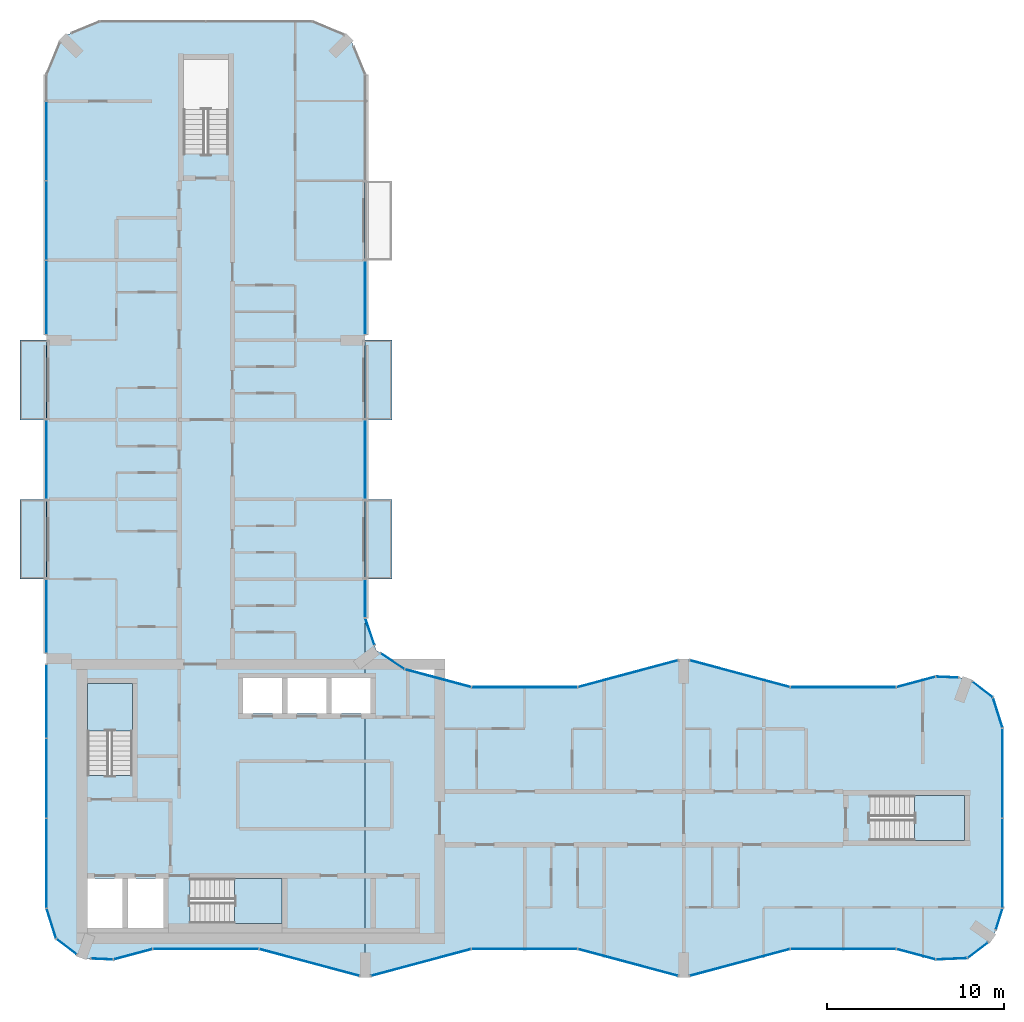
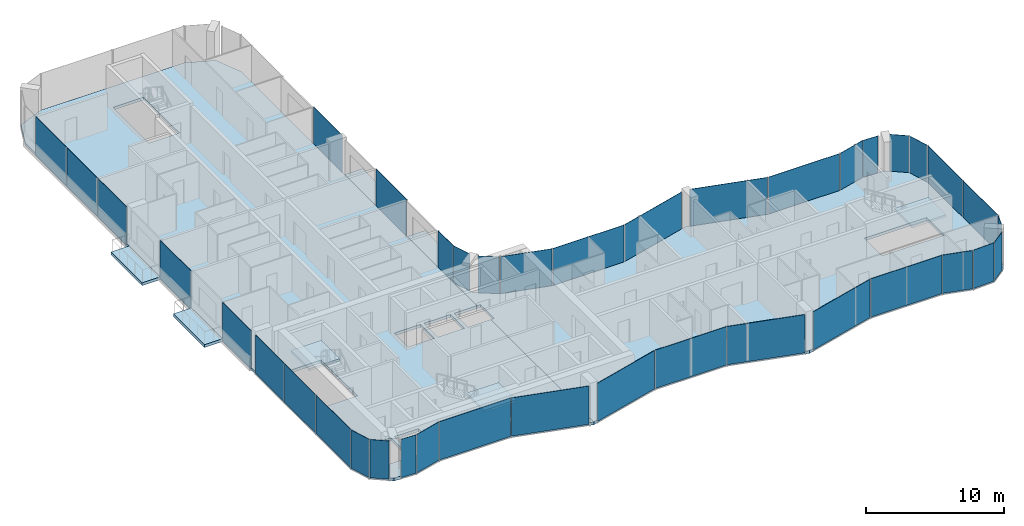
# One storey, part 8 of 17: 39 plates, 9 slabs, 37 elements without a shape of their own.
"""IFC4 building model written with IfcOpenShell, lengths in metres."""

from ifc_helpers import new_model, si_unit, direction, frame, origin, origin_2d, place, context, subcontext, project, spatial, polyline, rectangle, outline, extrude, material, layer, layer_set, type_object, element, aggregate, save


model = new_model("IFC4")

# Units and contexts
model_context = context("Model", 3, precision=1e-05, world=origin(), true_north=direction((0.0, 1.0)))
body_context = subcontext(model_context, "Body", "Model", "MODEL_VIEW")
ifc_project = project(units=[si_unit("LENGTHUNIT", "METRE"), si_unit("AREAUNIT", "SQUARE_METRE"), si_unit("VOLUMEUNIT", "CUBIC_METRE"), si_unit("PLANEANGLEUNIT", "RADIAN"), si_unit("MASSUNIT", "GRAM", prefix="KILO")], contexts=[model_context])

# Site, building, storey
site_placement = place(None, origin())
site = spatial("IfcSite", under=ifc_project, at=site_placement, CompositionType="ELEMENT")
building_placement = place(site_placement, origin())
building = spatial("IfcBuilding", under=site, at=building_placement, Name="Plateau Cross Towers", CompositionType="ELEMENT")
storey_placement = place(building_placement, frame((0.0, 0.0, 142.89990234375)))
storey = spatial("IfcBuildingStorey", under=building, at=storey_placement, Name="L36", CompositionType="ELEMENT", Elevation=142.89990234375)

# Slabs
ifc_material_1 = material(Name="Concrete C40/50", Category="concrete")
ifc_layer_1 = layer(ifc_material_1, 0.25)
ifc_layer_set_1 = layer_set([ifc_layer_1], Name="Concrete C40/50")
slab_type_1 = type_object("IfcSlabType", Name="Balcony slab 250", PredefinedType="FLOOR", material=ifc_layer_set_1)
slab_1_placement = place(storey_placement, frame((0.0, 0.0, -0.25)))
element("IfcSlab", 1, at=slab_1_placement, inside=storey, type_object=slab_type_1, Name="Balcony slab A-BAL-L36-01", PredefinedType="FLOOR", context=body_context, shape_type="SweptSolid", body=[
    extrude(outline(polyline([(0.0, 22.5), (0.0, 27.0), (-1.5, 27.0), (-1.5, 22.5), (0.0, 22.5)])), origin(), (0.0, 0.0, 1.0), 0.25),
])
slab_2_placement = place(storey_placement, frame((0.0, 0.0, -0.25)))
element("IfcSlab", 2, at=slab_2_placement, inside=storey, type_object=slab_type_1, Name="Balcony slab A-BAL-L36-02", PredefinedType="FLOOR", context=body_context, shape_type="SweptSolid", body=[
    extrude(outline(polyline([(0.0, 31.5), (0.0, 36.0), (-1.5, 36.0), (-1.5, 31.5), (0.0, 31.5)])), origin(), (0.0, 0.0, 1.0), 0.25),
])
slab_3_placement = place(storey_placement, frame((0.0, 0.0, -0.25)))
element("IfcSlab", 3, at=slab_3_placement, inside=storey, type_object=slab_type_1, Name="Balcony slab A-BAL-L36-03", PredefinedType="FLOOR", context=body_context, shape_type="SweptSolid", body=[
    extrude(outline(polyline([(19.5, 22.5), (19.5, 27.0), (18.0, 27.0), (18.0, 22.5), (19.5, 22.5)])), origin(), (0.0, 0.0, 1.0), 0.25),
])
slab_4_placement = place(storey_placement, frame((0.0, 0.0, -0.25)))
element("IfcSlab", 4, at=slab_4_placement, inside=storey, type_object=slab_type_1, Name="Balcony slab A-BAL-L36-04", PredefinedType="FLOOR", context=body_context, shape_type="SweptSolid", body=[
    extrude(outline(polyline([(19.5, 31.5), (19.5, 36.0), (18.0, 36.0), (18.0, 31.5), (19.5, 31.5)])), origin(), (0.0, 0.0, 1.0), 0.25),
])

# Curtain wall, plate
ifc_material_2 = material(Name="Dark low-iron glass", Category="glass")
ifc_layer_2 = layer(ifc_material_2, 0.239990234375)
ifc_layer_set_2 = layer_set([ifc_layer_2], Name="Dark low-iron glass")
curtain_wall_type_1 = type_object("IfcCurtainWallType", Name="Curtain wall flush unitised CW-B", PredefinedType="NOTDEFINED", material=ifc_layer_set_2)
curtain_wall_1_placement = place(storey_placement, origin())
curtain_wall_1 = element("IfcCurtainWall", 5, at=curtain_wall_1_placement, inside=storey, type_object=curtain_wall_type_1, Name="ENV/A/L36/A502_10", PredefinedType="NOTDEFINED")
ifc_layer_3 = layer(ifc_material_2, 0.031982421875)
ifc_layer_set_3 = layer_set([ifc_layer_3], Name="Dark low-iron glass")
plate_type_1 = type_object("IfcPlateType", Name="Glass panel 32 flush unitised", PredefinedType="CURTAIN_PANEL", material=ifc_layer_set_3)
plate_1_placement = place(storey_placement, frame((51.125, 1.05078125, -0.1298828125), z_axis=(0.0, 0.0, 1.0), x_axis=(0.999043701491, 0.043722791671, 0.0)))
plate_1 = element("IfcPlate", 6, at=plate_1_placement, type_object=plate_type_1, Name="CW-B panel 1", PredefinedType="CURTAIN_PANEL", context=body_context, shape_type="SweptSolid", body=[
    extrude(rectangle(XDim=1.744140625, YDim=0.031982421875, at=origin_2d()), origin(), (0.0, 0.0, 1.0), 3.3798828125),
])
aggregate(curtain_wall_1, [plate_1])

curtain_wall_2_placement = place(storey_placement, origin())
curtain_wall_2 = element("IfcCurtainWall", 7, at=curtain_wall_2_placement, inside=storey, type_object=curtain_wall_type_1, Name="ENV/A/L36/A520_11", PredefinedType="NOTDEFINED")
plate_2_placement = place(storey_placement, frame((52.60986328125, 1.5380859375, -0.1298828125), z_axis=(0.0, 0.0, 1.0), x_axis=(0.793315514529, 0.608810721331, 0.0)))
plate_2 = element("IfcPlate", 8, at=plate_2_placement, type_object=plate_type_1, Name="CW-B panel 1", PredefinedType="CURTAIN_PANEL", context=body_context, shape_type="SweptSolid", body=[
    extrude(rectangle(XDim=1.41162109375, YDim=0.031982421875, at=origin_2d()), origin(), (0.0, 0.0, 1.0), 3.3798828125),
])
aggregate(curtain_wall_2, [plate_2])

curtain_wall_3_placement = place(storey_placement, origin())
curtain_wall_3 = element("IfcCurtainWall", 9, at=curtain_wall_3_placement, inside=storey, type_object=curtain_wall_type_1, Name="ENV/A/L36/A536_27", PredefinedType="NOTDEFINED")
plate_3_placement = place(storey_placement, frame((53.805419921875, 3.292236328125, -0.1298828125), z_axis=(0.0, 0.0, 1.0), x_axis=(0.300686174994, 0.95372313811, 0.0)))
plate_3 = element("IfcPlate", 10, at=plate_3_placement, type_object=plate_type_1, Name="CW-B panel 1", PredefinedType="CURTAIN_PANEL", context=body_context, shape_type="SweptSolid", body=[
    extrude(rectangle(XDim=1.233642578125, YDim=0.031982421875, at=origin_2d()), origin(), (0.0, 0.0, 1.0), 3.3798828125),
])
aggregate(curtain_wall_3, [plate_3])

# Curtain wall, plates
curtain_wall_4_placement = place(storey_placement, origin())
curtain_wall_4 = element("IfcCurtainWall", 11, at=curtain_wall_4_placement, inside=storey, type_object=curtain_wall_type_1, Name="ENV/A/L36/A540_39", PredefinedType="NOTDEFINED")
plate_4_placement = place(storey_placement, frame((54.0, 6.45458984375, -0.1298828125), z_axis=(0.0, 0.0, 1.0), x_axis=(0.0, 1.0, 0.0)))
plate_4 = element("IfcPlate", 12, at=plate_4_placement, type_object=plate_type_1, Name="CW-B panel 1", PredefinedType="CURTAIN_PANEL", context=body_context, shape_type="SweptSolid", body=[
    extrude(rectangle(XDim=5.03076171875, YDim=0.031982421875, at=origin_2d()), origin(), (0.0, 0.0, 1.0), 3.3798828125),
])
plate_5_placement = place(storey_placement, frame((54.0, 11.54541015625, -0.1298828125), z_axis=(0.0, 0.0, 1.0), x_axis=(0.0, 1.0, 0.0)))
plate_5 = element("IfcPlate", 13, at=plate_5_placement, type_object=plate_type_1, Name="CW-B panel 2", PredefinedType="CURTAIN_PANEL", context=body_context, shape_type="SweptSolid", body=[
    extrude(rectangle(XDim=5.03076171875, YDim=0.031982421875, at=origin_2d()), origin(), (0.0, 0.0, 1.0), 3.3798828125),
])
aggregate(curtain_wall_4, [plate_4, plate_5])

# Curtain wall, plate
curtain_wall_5_placement = place(storey_placement, origin())
curtain_wall_5 = element("IfcCurtainWall", 14, at=curtain_wall_5_placement, inside=storey, type_object=curtain_wall_type_1, Name="ENV/A/L36/A540_141", PredefinedType="NOTDEFINED")
plate_6_placement = place(storey_placement, frame((53.728759765625, 14.951171875, -0.1298828125), z_axis=(0.0, 0.0, 1.0), x_axis=(-0.300686174994, 0.95372313811, 0.0)))
plate_6 = element("IfcPlate", 15, at=plate_6_placement, type_object=plate_type_1, Name="CW-B panel 1", PredefinedType="CURTAIN_PANEL", context=body_context, shape_type="SweptSolid", body=[
    extrude(rectangle(XDim=1.744140625, YDim=0.031982421875, at=origin_2d()), origin(), (0.0, 0.0, 1.0), 3.3798828125),
])
aggregate(curtain_wall_5, [plate_6])

curtain_wall_6_placement = place(storey_placement, origin())
curtain_wall_6 = element("IfcCurtainWall", 16, at=curtain_wall_6_placement, inside=storey, type_object=curtain_wall_type_1, Name="ENV/A/L36/A535_158", PredefinedType="NOTDEFINED")
plate_7_placement = place(storey_placement, frame((52.873779296875, 16.25927734375, -0.1298828125), z_axis=(0.0, 0.0, 1.0), x_axis=(-0.793315514529, 0.608810721331, 0.0)))
plate_7 = element("IfcPlate", 17, at=plate_7_placement, type_object=plate_type_1, Name="CW-B panel 1", PredefinedType="CURTAIN_PANEL", context=body_context, shape_type="SweptSolid", body=[
    extrude(rectangle(XDim=1.41162109375, YDim=0.031982421875, at=origin_2d()), origin(), (0.0, 0.0, 1.0), 3.3798828125),
])
aggregate(curtain_wall_6, [plate_7])

curtain_wall_7_placement = place(storey_placement, origin())
curtain_wall_7 = element("IfcCurtainWall", 18, at=curtain_wall_7_placement, inside=storey, type_object=curtain_wall_type_1, Name="ENV/A/L36/A515_169", PredefinedType="NOTDEFINED")
plate_8_placement = place(storey_placement, frame((50.8701171875, 16.96044921875, -0.1298828125), z_axis=(0.0, 0.0, 1.0), x_axis=(-0.999043701491, 0.043722791671, 0.0)))
plate_8 = element("IfcPlate", 19, at=plate_8_placement, type_object=plate_type_1, Name="CW-B panel 1", PredefinedType="CURTAIN_PANEL", context=body_context, shape_type="SweptSolid", body=[
    extrude(rectangle(XDim=1.233642578125, YDim=0.031982421875, at=origin_2d()), origin(), (0.0, 0.0, 1.0), 3.3798828125),
])
aggregate(curtain_wall_7, [plate_8])

curtain_wall_8_placement = place(storey_placement, origin())
curtain_wall_8 = element("IfcCurtainWall", 20, at=curtain_wall_8_placement, inside=storey, type_object=curtain_wall_type_1, Name="ENV/A/L36/A202_174", PredefinedType="NOTDEFINED")
plate_9_placement = place(storey_placement, frame((19.546630859375, 17.856689453125, -0.1298828125), z_axis=(0.0, 0.0, 1.0), x_axis=(-0.831521253329, 0.555492938984, 0.0)))
plate_9 = element("IfcPlate", 21, at=plate_9_placement, type_object=plate_type_1, Name="CW-B panel 1", PredefinedType="CURTAIN_PANEL", context=body_context, shape_type="SweptSolid", body=[
    extrude(rectangle(XDim=1.56884765625, YDim=0.031982421875, at=origin_2d()), origin(), (0.0, 0.0, 1.0), 3.3798828125),
])
aggregate(curtain_wall_8, [plate_9])

curtain_wall_9_placement = place(storey_placement, origin())
curtain_wall_9 = element("IfcCurtainWall", 22, at=curtain_wall_9_placement, inside=storey, type_object=curtain_wall_type_1, Name="ENV/A/L36/A185_188", PredefinedType="NOTDEFINED")
plate_10_placement = place(storey_placement, frame((18.26171875, 19.531005859375, -0.1298828125), z_axis=(0.0, 0.0, 1.0), x_axis=(-0.321469161574, 0.94692004845, 0.0)))
plate_10 = element("IfcPlate", 23, at=plate_10_placement, type_object=plate_type_1, Name="CW-B panel 1", PredefinedType="CURTAIN_PANEL", context=body_context, shape_type="SweptSolid", body=[
    extrude(rectangle(XDim=1.56884765625, YDim=0.031982421875, at=origin_2d()), origin(), (0.0, 0.0, 1.0), 3.3798828125),
])
aggregate(curtain_wall_9, [plate_10])

curtain_wall_10_placement = place(storey_placement, origin())
curtain_wall_10 = element("IfcCurtainWall", 24, at=curtain_wall_10_placement, inside=storey, type_object=curtain_wall_type_1, Name="ENV/A/L36/A180_203", PredefinedType="NOTDEFINED")
plate_11_placement = place(storey_placement, frame((18.0, 21.396240234375, -0.1298828125), z_axis=(0.0, 0.0, 1.0), x_axis=(0.0, 1.0, 0.0)))
plate_11 = element("IfcPlate", 25, at=plate_11_placement, type_object=plate_type_1, Name="CW-B panel 1", PredefinedType="CURTAIN_PANEL", context=body_context, shape_type="SweptSolid", body=[
    extrude(rectangle(XDim=2.127685546875, YDim=0.031982421875, at=origin_2d()), origin(), (0.0, 0.0, 1.0), 3.3798828125),
])
aggregate(curtain_wall_10, [plate_11])

curtain_wall_11_placement = place(storey_placement, origin())
curtain_wall_11 = element("IfcCurtainWall", 26, at=curtain_wall_11_placement, inside=storey, type_object=curtain_wall_type_1, Name="ENV/A/L36/A180_270", PredefinedType="NOTDEFINED")
plate_12_placement = place(storey_placement, frame((18.0, 29.25, -0.1298828125), z_axis=(0.0, 0.0, 1.0), x_axis=(0.0, 1.0, 0.0)))
plate_12 = element("IfcPlate", 27, at=plate_12_placement, type_object=plate_type_1, Name="CW-B panel 1", PredefinedType="CURTAIN_PANEL", context=body_context, shape_type="SweptSolid", body=[
    extrude(rectangle(XDim=4.419921875, YDim=0.031982421875, at=origin_2d()), origin(), (0.0, 0.0, 1.0), 3.3798828125),
])
aggregate(curtain_wall_11, [plate_12])

curtain_wall_12_placement = place(storey_placement, origin())
curtain_wall_12 = element("IfcCurtainWall", 28, at=curtain_wall_12_placement, inside=storey, type_object=curtain_wall_type_1, Name="ENV/A/L36/A180_363", PredefinedType="NOTDEFINED")
plate_13_placement = place(storey_placement, frame((18.0, 38.39501953125, -0.1298828125), z_axis=(0.0, 0.0, 1.0), x_axis=(0.0, 1.0, 0.0)))
plate_13 = element("IfcPlate", 29, at=plate_13_placement, type_object=plate_type_1, Name="CW-B panel 1", PredefinedType="CURTAIN_PANEL", context=body_context, shape_type="SweptSolid", body=[
    extrude(rectangle(XDim=4.1298828125, YDim=0.031982421875, at=origin_2d()), origin(), (0.0, 0.0, 1.0), 3.3798828125),
])
aggregate(curtain_wall_12, [plate_13])

# Curtain wall, plates
curtain_wall_13_placement = place(storey_placement, origin())
curtain_wall_13 = element("IfcCurtainWall", 30, at=curtain_wall_13_placement, inside=storey, type_object=curtain_wall_type_1, Name="ENV/A/L36/A0_510", PredefinedType="NOTDEFINED")
plate_14_placement = place(storey_placement, frame((0.0, 47.25, -0.1298828125), z_axis=(0.0, 0.0, 1.0), x_axis=(0.0, -1.0, 0.0)))
plate_14 = element("IfcPlate", 31, at=plate_14_placement, type_object=plate_type_1, Name="CW-B panel 2", PredefinedType="CURTAIN_PANEL", context=body_context, shape_type="SweptSolid", body=[
    extrude(rectangle(XDim=4.43994140625, YDim=0.031982421875, at=origin_2d()), origin(), (0.0, 0.0, 1.0), 3.3798828125),
])
plate_15_placement = place(storey_placement, frame((0.0, 42.75, -0.1298828125), z_axis=(0.0, 0.0, 1.0), x_axis=(0.0, -1.0, 0.0)))
plate_15 = element("IfcPlate", 32, at=plate_15_placement, type_object=plate_type_1, Name="CW-B panel 3", PredefinedType="CURTAIN_PANEL", context=body_context, shape_type="SweptSolid", body=[
    extrude(rectangle(XDim=4.43994140625, YDim=0.031982421875, at=origin_2d()), origin(), (0.0, 0.0, 1.0), 3.3798828125),
])
plate_16_placement = place(storey_placement, frame((0.0, 38.39990234375, -0.1298828125), z_axis=(0.0, 0.0, 1.0), x_axis=(0.0, -1.0, 0.0)))
plate_16 = element("IfcPlate", 33, at=plate_16_placement, type_object=plate_type_1, Name="CW-B panel 4", PredefinedType="CURTAIN_PANEL", context=body_context, shape_type="SweptSolid", body=[
    extrude(rectangle(XDim=4.139892578125, YDim=0.031982421875, at=origin_2d()), origin(), (0.0, 0.0, 1.0), 3.3798828125),
])
aggregate(curtain_wall_13, [plate_14, plate_15, plate_16])

# Curtain wall, plate
curtain_wall_14_placement = place(storey_placement, origin())
curtain_wall_14 = element("IfcCurtainWall", 34, at=curtain_wall_14_placement, inside=storey, type_object=curtain_wall_type_1, Name="ENV/A/L36/A0_315", PredefinedType="NOTDEFINED")
plate_17_placement = place(storey_placement, frame((0.0, 29.25, -0.1298828125), z_axis=(0.0, 0.0, 1.0), x_axis=(0.0, -1.0, 0.0)))
plate_17 = element("IfcPlate", 35, at=plate_17_placement, type_object=plate_type_1, Name="CW-B panel 1", PredefinedType="CURTAIN_PANEL", context=body_context, shape_type="SweptSolid", body=[
    extrude(rectangle(XDim=4.419921875, YDim=0.031982421875, at=origin_2d()), origin(), (0.0, 0.0, 1.0), 3.3798828125),
])
aggregate(curtain_wall_14, [plate_17])

curtain_wall_15_placement = place(storey_placement, origin())
curtain_wall_15 = element("IfcCurtainWall", 36, at=curtain_wall_15_placement, inside=storey, type_object=curtain_wall_type_1, Name="ENV/A/L36/A0_225", PredefinedType="NOTDEFINED")
plate_18_placement = place(storey_placement, frame((0.0, 20.39501953125, -0.1298828125), z_axis=(0.0, 0.0, 1.0), x_axis=(0.0, -1.0, 0.0)))
plate_18 = element("IfcPlate", 37, at=plate_18_placement, type_object=plate_type_1, Name="CW-B panel 1", PredefinedType="CURTAIN_PANEL", context=body_context, shape_type="SweptSolid", body=[
    extrude(rectangle(XDim=4.1298828125, YDim=0.031982421875, at=origin_2d()), origin(), (0.0, 0.0, 1.0), 3.3798828125),
])
aggregate(curtain_wall_15, [plate_18])

# Curtain wall, plates
curtain_wall_16_placement = place(storey_placement, origin())
curtain_wall_16 = element("IfcCurtainWall", 38, at=curtain_wall_16_placement, inside=storey, type_object=curtain_wall_type_1, Name="ENV/A/L36/A0_177", PredefinedType="NOTDEFINED")
plate_19_placement = place(storey_placement, frame((0.0, 15.60009765625, -0.1298828125), z_axis=(0.0, 0.0, 1.0), x_axis=(0.0, -1.0, 0.0)))
plate_19 = element("IfcPlate", 39, at=plate_19_placement, type_object=plate_type_1, Name="CW-B panel 1", PredefinedType="CURTAIN_PANEL", context=body_context, shape_type="SweptSolid", body=[
    extrude(rectangle(XDim=4.139892578125, YDim=0.031982421875, at=origin_2d()), origin(), (0.0, 0.0, 1.0), 3.3798828125),
])
plate_20_placement = place(storey_placement, frame((0.0, 11.25, -0.1298828125), z_axis=(0.0, 0.0, 1.0), x_axis=(0.0, -1.0, 0.0)))
plate_20 = element("IfcPlate", 40, at=plate_20_placement, type_object=plate_type_1, Name="CW-B panel 2", PredefinedType="CURTAIN_PANEL", context=body_context, shape_type="SweptSolid", body=[
    extrude(rectangle(XDim=4.43994140625, YDim=0.031982421875, at=origin_2d()), origin(), (0.0, 0.0, 1.0), 3.3798828125),
])
plate_21_placement = place(storey_placement, frame((0.0, 6.45458984375, -0.1298828125), z_axis=(0.0, 0.0, 1.0), x_axis=(0.0, -1.0, 0.0)))
plate_21 = element("IfcPlate", 41, at=plate_21_placement, type_object=plate_type_1, Name="CW-B panel 3", PredefinedType="CURTAIN_PANEL", context=body_context, shape_type="SweptSolid", body=[
    extrude(rectangle(XDim=5.03076171875, YDim=0.031982421875, at=origin_2d()), origin(), (0.0, 0.0, 1.0), 3.3798828125),
])
aggregate(curtain_wall_16, [plate_19, plate_20, plate_21])

# Curtain wall, plate
curtain_wall_17_placement = place(storey_placement, origin())
curtain_wall_17 = element("IfcCurtainWall", 42, at=curtain_wall_17_placement, inside=storey, type_object=curtain_wall_type_1, Name="ENV/A/L36/A0_39", PredefinedType="NOTDEFINED")
plate_22_placement = place(storey_placement, frame((0.271240234375, 3.048828125, -0.1298828125), z_axis=(0.0, 0.0, 1.0), x_axis=(0.300686174994, -0.95372313811, 0.0)))
plate_22 = element("IfcPlate", 43, at=plate_22_placement, type_object=plate_type_1, Name="CW-B panel 1", PredefinedType="CURTAIN_PANEL", context=body_context, shape_type="SweptSolid", body=[
    extrude(rectangle(XDim=1.744140625, YDim=0.031982421875, at=origin_2d()), origin(), (0.0, 0.0, 1.0), 3.3798828125),
])
aggregate(curtain_wall_17, [plate_22])

curtain_wall_18_placement = place(storey_placement, origin())
curtain_wall_18 = element("IfcCurtainWall", 44, at=curtain_wall_18_placement, inside=storey, type_object=curtain_wall_type_1, Name="ENV/A/L36/A5_22", PredefinedType="NOTDEFINED")
plate_23_placement = place(storey_placement, frame((1.126220703125, 1.74072265625, -0.1298828125), z_axis=(0.0, 0.0, 1.0), x_axis=(0.793315514529, -0.608810721331, 0.0)))
plate_23 = element("IfcPlate", 45, at=plate_23_placement, type_object=plate_type_1, Name="CW-B panel 1", PredefinedType="CURTAIN_PANEL", context=body_context, shape_type="SweptSolid", body=[
    extrude(rectangle(XDim=1.41162109375, YDim=0.031982421875, at=origin_2d()), origin(), (0.0, 0.0, 1.0), 3.3798828125),
])
aggregate(curtain_wall_18, [plate_23])

curtain_wall_19_placement = place(storey_placement, origin())
curtain_wall_19 = element("IfcCurtainWall", 46, at=curtain_wall_19_placement, inside=storey, type_object=curtain_wall_type_1, Name="ENV/A/L36/A25_11", PredefinedType="NOTDEFINED")
plate_24_placement = place(storey_placement, frame((3.1298828125, 1.03955078125, -0.1298828125), z_axis=(0.0, 0.0, 1.0), x_axis=(0.999043701491, -0.043722791671, 0.0)))
plate_24 = element("IfcPlate", 47, at=plate_24_placement, type_object=plate_type_1, Name="CW-B panel 1", PredefinedType="CURTAIN_PANEL", context=body_context, shape_type="SweptSolid", body=[
    extrude(rectangle(XDim=1.233642578125, YDim=0.031982421875, at=origin_2d()), origin(), (0.0, 0.0, 1.0), 3.3798828125),
])
aggregate(curtain_wall_19, [plate_24])

ifc_layer_4 = layer(ifc_material_2, 0.260009765625)
ifc_layer_set_4 = layer_set([ifc_layer_4], Name="Dark low-iron glass")
curtain_wall_type_2 = type_object("IfcCurtainWallType", Name="Curtain wall fluted unitised CW-A", PredefinedType="NOTDEFINED", material=ifc_layer_set_4)
curtain_wall_20_placement = place(storey_placement, origin())
curtain_wall_20 = element("IfcCurtainWall", 48, at=curtain_wall_20_placement, inside=storey, type_object=curtain_wall_type_2, Name="ENV/A/L36/A38_10", PredefinedType="NOTDEFINED")
ifc_layer_5 = layer(ifc_material_2, 0.035888671875)
ifc_layer_set_5 = layer_set([ifc_layer_5], Name="Dark low-iron glass")
plate_type_2 = type_object("IfcPlateType", Name="Glass panel 36 fluted unitised", PredefinedType="CURTAIN_PANEL", material=ifc_layer_set_5)
plate_25_placement = place(storey_placement, frame((4.887939453125, 1.30908203125, -0.1298828125), z_axis=(0.0, 0.0, 1.0), x_axis=(0.965957962328, 0.258699081978, 0.0)))
plate_25 = element("IfcPlate", 49, at=plate_25_placement, type_object=plate_type_2, Name="CW-A panel 1", PredefinedType="CURTAIN_PANEL", context=body_context, shape_type="SweptSolid", body=[
    extrude(rectangle(XDim=2.2421875, YDim=0.035888671875, at=origin_2d()), origin(), (0.0, 0.0, 1.0), 3.3798828125),
])
aggregate(curtain_wall_20, [plate_25])

curtain_wall_21_placement = place(storey_placement, origin())
curtain_wall_21 = element("IfcCurtainWall", 50, at=curtain_wall_21_placement, inside=storey, type_object=curtain_wall_type_2, Name="ENV/A/L36/A60_16", PredefinedType="NOTDEFINED")
plate_26_placement = place(storey_placement, frame((9.0, 1.60693359375, -0.1298828125), z_axis=(0.0, 0.0, 1.0), x_axis=(1.0, 0.0, 0.0)))
plate_26 = element("IfcPlate", 51, at=plate_26_placement, type_object=plate_type_2, Name="CW-A panel 1", PredefinedType="CURTAIN_PANEL", context=body_context, shape_type="SweptSolid", body=[
    extrude(rectangle(XDim=5.93994140625, YDim=0.035888671875, at=origin_2d()), origin(), (0.0, 0.0, 1.0), 3.3798828125),
])
aggregate(curtain_wall_21, [plate_26])

curtain_wall_22_placement = place(storey_placement, origin())
curtain_wall_22 = element("IfcCurtainWall", 52, at=curtain_wall_22_placement, inside=storey, type_object=curtain_wall_type_2, Name="ENV/A/L36/A120_16", PredefinedType="NOTDEFINED")
plate_27_placement = place(storey_placement, frame((14.841064453125, 0.845947265625, -0.1298828125), z_axis=(0.0, 0.0, 1.0), x_axis=(0.965957983404, -0.258699003279, 0.0)))
plate_27 = element("IfcPlate", 53, at=plate_27_placement, type_object=plate_type_2, Name="CW-A panel 1", PredefinedType="CURTAIN_PANEL", context=body_context, shape_type="SweptSolid", body=[
    extrude(rectangle(XDim=5.822265625, YDim=0.035888671875, at=origin_2d()), origin(), (0.0, 0.0, 1.0), 3.3798828125),
])
aggregate(curtain_wall_22, [plate_27])

curtain_wall_23_placement = place(storey_placement, origin())
curtain_wall_23 = element("IfcCurtainWall", 54, at=curtain_wall_23_placement, inside=storey, type_object=curtain_wall_type_2, Name="ENV/A/L36/A183_1", PredefinedType="NOTDEFINED")
plate_28_placement = place(storey_placement, frame((21.158935546875, 0.845947265625, -0.1298828125), z_axis=(0.0, 0.0, 1.0), x_axis=(0.965957983404, 0.258699003279, 0.0)))
plate_28 = element("IfcPlate", 55, at=plate_28_placement, type_object=plate_type_2, Name="CW-A panel 1", PredefinedType="CURTAIN_PANEL", context=body_context, shape_type="SweptSolid", body=[
    extrude(rectangle(XDim=5.822265625, YDim=0.035888671875, at=origin_2d()), origin(), (0.0, 0.0, 1.0), 3.3798828125),
])
aggregate(curtain_wall_23, [plate_28])

curtain_wall_24_placement = place(storey_placement, origin())
curtain_wall_24 = element("IfcCurtainWall", 56, at=curtain_wall_24_placement, inside=storey, type_object=curtain_wall_type_2, Name="ENV/A/L36/A240_16", PredefinedType="NOTDEFINED")
plate_29_placement = place(storey_placement, frame((27.0, 1.60693359375, -0.1298828125), z_axis=(0.0, 0.0, 1.0), x_axis=(1.0, 0.0, 0.0)))
plate_29 = element("IfcPlate", 57, at=plate_29_placement, type_object=plate_type_2, Name="CW-A panel 1", PredefinedType="CURTAIN_PANEL", context=body_context, shape_type="SweptSolid", body=[
    extrude(rectangle(XDim=5.93994140625, YDim=0.035888671875, at=origin_2d()), origin(), (0.0, 0.0, 1.0), 3.3798828125),
])
aggregate(curtain_wall_24, [plate_29])

curtain_wall_25_placement = place(storey_placement, origin())
curtain_wall_25 = element("IfcCurtainWall", 58, at=curtain_wall_25_placement, inside=storey, type_object=curtain_wall_type_2, Name="ENV/A/L36/A300_16", PredefinedType="NOTDEFINED")
plate_30_placement = place(storey_placement, frame((32.841064453125, 0.845947265625, -0.1298828125), z_axis=(0.0, 0.0, 1.0), x_axis=(0.965957983404, -0.258699003279, 0.0)))
plate_30 = element("IfcPlate", 59, at=plate_30_placement, type_object=plate_type_2, Name="CW-A panel 1", PredefinedType="CURTAIN_PANEL", context=body_context, shape_type="SweptSolid", body=[
    extrude(rectangle(XDim=5.822265625, YDim=0.035888671875, at=origin_2d()), origin(), (0.0, 0.0, 1.0), 3.3798828125),
])
aggregate(curtain_wall_25, [plate_30])

curtain_wall_26_placement = place(storey_placement, origin())
curtain_wall_26 = element("IfcCurtainWall", 60, at=curtain_wall_26_placement, inside=storey, type_object=curtain_wall_type_2, Name="ENV/A/L36/A363_1", PredefinedType="NOTDEFINED")
plate_31_placement = place(storey_placement, frame((39.158935546875, 0.845947265625, -0.1298828125), z_axis=(0.0, 0.0, 1.0), x_axis=(0.965957983404, 0.258699003279, 0.0)))
plate_31 = element("IfcPlate", 61, at=plate_31_placement, type_object=plate_type_2, Name="CW-A panel 1", PredefinedType="CURTAIN_PANEL", context=body_context, shape_type="SweptSolid", body=[
    extrude(rectangle(XDim=5.822265625, YDim=0.035888671875, at=origin_2d()), origin(), (0.0, 0.0, 1.0), 3.3798828125),
])
aggregate(curtain_wall_26, [plate_31])

curtain_wall_27_placement = place(storey_placement, origin())
curtain_wall_27 = element("IfcCurtainWall", 62, at=curtain_wall_27_placement, inside=storey, type_object=curtain_wall_type_2, Name="ENV/A/L36/A420_16", PredefinedType="NOTDEFINED")
plate_32_placement = place(storey_placement, frame((45.0, 1.60693359375, -0.1298828125), z_axis=(0.0, 0.0, 1.0), x_axis=(1.0, 0.0, 0.0)))
plate_32 = element("IfcPlate", 63, at=plate_32_placement, type_object=plate_type_2, Name="CW-A panel 1", PredefinedType="CURTAIN_PANEL", context=body_context, shape_type="SweptSolid", body=[
    extrude(rectangle(XDim=5.93994140625, YDim=0.035888671875, at=origin_2d()), origin(), (0.0, 0.0, 1.0), 3.3798828125),
])
aggregate(curtain_wall_27, [plate_32])

curtain_wall_28_placement = place(storey_placement, origin())
curtain_wall_28 = element("IfcCurtainWall", 64, at=curtain_wall_28_placement, inside=storey, type_object=curtain_wall_type_2, Name="ENV/A/L36/A480_16", PredefinedType="NOTDEFINED")
plate_33_placement = place(storey_placement, frame((49.112060546875, 1.30908203125, -0.1298828125), z_axis=(0.0, 0.0, 1.0), x_axis=(0.965957962328, -0.258699081978, 0.0)))
plate_33 = element("IfcPlate", 65, at=plate_33_placement, type_object=plate_type_2, Name="CW-A panel 1", PredefinedType="CURTAIN_PANEL", context=body_context, shape_type="SweptSolid", body=[
    extrude(rectangle(XDim=2.2421875, YDim=0.035888671875, at=origin_2d()), origin(), (0.0, 0.0, 1.0), 3.3798828125),
])
aggregate(curtain_wall_28, [plate_33])

curtain_wall_29_placement = place(storey_placement, origin())
curtain_wall_29 = element("IfcCurtainWall", 66, at=curtain_wall_29_placement, inside=storey, type_object=curtain_wall_type_2, Name="ENV/A/L36/A502_170", PredefinedType="NOTDEFINED")
plate_34_placement = place(storey_placement, frame((49.112060546875, 16.69091796875, -0.1298828125), z_axis=(0.0, 0.0, 1.0), x_axis=(-0.965957962328, -0.258699081978, 0.0)))
plate_34 = element("IfcPlate", 67, at=plate_34_placement, type_object=plate_type_2, Name="CW-A panel 1", PredefinedType="CURTAIN_PANEL", context=body_context, shape_type="SweptSolid", body=[
    extrude(rectangle(XDim=2.2421875, YDim=0.035888671875, at=origin_2d()), origin(), (0.0, 0.0, 1.0), 3.3798828125),
])
aggregate(curtain_wall_29, [plate_34])

curtain_wall_30_placement = place(storey_placement, origin())
curtain_wall_30 = element("IfcCurtainWall", 68, at=curtain_wall_30_placement, inside=storey, type_object=curtain_wall_type_2, Name="ENV/A/L36/A480_164", PredefinedType="NOTDEFINED")
plate_35_placement = place(storey_placement, frame((45.0, 16.39306640625, -0.1298828125), z_axis=(0.0, 0.0, 1.0), x_axis=(-1.0, 0.0, 0.0)))
plate_35 = element("IfcPlate", 69, at=plate_35_placement, type_object=plate_type_2, Name="CW-A panel 1", PredefinedType="CURTAIN_PANEL", context=body_context, shape_type="SweptSolid", body=[
    extrude(rectangle(XDim=5.93994140625, YDim=0.035888671875, at=origin_2d()), origin(), (0.0, 0.0, 1.0), 3.3798828125),
])
aggregate(curtain_wall_30, [plate_35])

curtain_wall_31_placement = place(storey_placement, origin())
curtain_wall_31 = element("IfcCurtainWall", 70, at=curtain_wall_31_placement, inside=storey, type_object=curtain_wall_type_2, Name="ENV/A/L36/A420_164", PredefinedType="NOTDEFINED")
plate_36_placement = place(storey_placement, frame((39.158935546875, 17.154052734375, -0.1298828125), z_axis=(0.0, 0.0, 1.0), x_axis=(-0.965957983404, 0.258699003279, 0.0)))
plate_36 = element("IfcPlate", 71, at=plate_36_placement, type_object=plate_type_2, Name="CW-A panel 1", PredefinedType="CURTAIN_PANEL", context=body_context, shape_type="SweptSolid", body=[
    extrude(rectangle(XDim=5.822265625, YDim=0.035888671875, at=origin_2d()), origin(), (0.0, 0.0, 1.0), 3.3798828125),
])
aggregate(curtain_wall_31, [plate_36])

curtain_wall_32_placement = place(storey_placement, origin())
curtain_wall_32 = element("IfcCurtainWall", 72, at=curtain_wall_32_placement, inside=storey, type_object=curtain_wall_type_2, Name="ENV/A/L36/A357_179", PredefinedType="NOTDEFINED")
plate_37_placement = place(storey_placement, frame((32.841064453125, 17.154052734375, -0.1298828125), z_axis=(0.0, 0.0, 1.0), x_axis=(-0.965957983404, -0.258699003279, 0.0)))
plate_37 = element("IfcPlate", 73, at=plate_37_placement, type_object=plate_type_2, Name="CW-A panel 1", PredefinedType="CURTAIN_PANEL", context=body_context, shape_type="SweptSolid", body=[
    extrude(rectangle(XDim=5.822265625, YDim=0.035888671875, at=origin_2d()), origin(), (0.0, 0.0, 1.0), 3.3798828125),
])
aggregate(curtain_wall_32, [plate_37])

curtain_wall_33_placement = place(storey_placement, origin())
curtain_wall_33 = element("IfcCurtainWall", 74, at=curtain_wall_33_placement, inside=storey, type_object=curtain_wall_type_2, Name="ENV/A/L36/A300_164", PredefinedType="NOTDEFINED")
plate_38_placement = place(storey_placement, frame((27.0, 16.39306640625, -0.1298828125), z_axis=(0.0, 0.0, 1.0), x_axis=(-1.0, 0.0, 0.0)))
plate_38 = element("IfcPlate", 75, at=plate_38_placement, type_object=plate_type_2, Name="CW-A panel 1", PredefinedType="CURTAIN_PANEL", context=body_context, shape_type="SweptSolid", body=[
    extrude(rectangle(XDim=5.93994140625, YDim=0.035888671875, at=origin_2d()), origin(), (0.0, 0.0, 1.0), 3.3798828125),
])
aggregate(curtain_wall_33, [plate_38])

curtain_wall_34_placement = place(storey_placement, origin())
curtain_wall_34 = element("IfcCurtainWall", 76, at=curtain_wall_34_placement, inside=storey, type_object=curtain_wall_type_2, Name="ENV/A/L36/A240_164", PredefinedType="NOTDEFINED")
plate_39_placement = place(storey_placement, frame((22.112060546875, 16.898681640625, -0.1298828125), z_axis=(0.0, 0.0, 1.0), x_axis=(-0.965957995816, 0.258698956933, 0.0)))
plate_39 = element("IfcPlate", 77, at=plate_39_placement, type_object=plate_type_2, Name="CW-A panel 1", PredefinedType="CURTAIN_PANEL", context=body_context, shape_type="SweptSolid", body=[
    extrude(rectangle(XDim=3.84912109375, YDim=0.035888671875, at=origin_2d()), origin(), (0.0, 0.0, 1.0), 3.3798828125),
])
aggregate(curtain_wall_34, [plate_39])

# Slabs
ifc_layer_6 = layer(ifc_material_1, 0.25)
ifc_layer_set_6 = layer_set([ifc_layer_6], Name="Concrete C40/50")
slab_type_2 = type_object("IfcSlabType", Name="Post-tensioned flat plate slab 250", PredefinedType="FLOOR", material=ifc_layer_set_6)
slab_5_placement = place(storey_placement, frame((0.0, 0.0, -0.25)))
element("IfcSlab", 78, at=slab_5_placement, inside=storey, type_object=slab_type_2, Name="SL-A-L36 1", PredefinedType="FLOOR", context=body_context, shape_type="SweptSolid", body=[
    extrude(outline(polyline([(0.54248046875, 2.1884765625), (0.0, 3.9091796875), (0.0, 51.0), (0.878662109375, 53.121337890625), (3.0, 54.0), (15.0, 54.0), (17.121337890625, 53.121337890625), (18.0, 51.0), (18.0, 20.30224609375), (18.0, 16.89990234375), (16.10009765625, 16.89990234375), (16.10009765625, 14.89990234375), (18.0, 14.89990234375), (18.0, 0.0), (12.0, 1.60693359375), (6.0, 1.60693359375), (3.776123046875, 1.01123046875), (1.9736328125, 1.090087890625), (0.54248046875, 2.1884765625)]), holes=[polyline([(2.300048828125, 5.60009765625), (2.300048828125, 2.800048828125), (4.300048828125, 2.800048828125), (4.300048828125, 5.60009765625), (2.300048828125, 5.60009765625)]), polyline([(4.60009765625, 5.60009765625), (4.60009765625, 2.800048828125), (6.60009765625, 2.800048828125), (6.60009765625, 5.60009765625), (4.60009765625, 5.60009765625)]), polyline([(8.10009765625, 5.60009765625), (8.10009765625, 3.050048828125), (13.300048828125, 3.050048828125), (13.300048828125, 5.60009765625), (8.10009765625, 5.60009765625)]), polyline([(2.300048828125, 11.39990234375), (4.85009765625, 11.39990234375), (4.85009765625, 16.60009765625), (2.300048828125, 16.60009765625), (2.300048828125, 11.39990234375)]), polyline([(11.10009765625, 16.89990234375), (11.10009765625, 14.89990234375), (13.300048828125, 14.89990234375), (13.300048828125, 16.89990234375), (11.10009765625, 16.89990234375)]), polyline([(13.60009765625, 16.89990234375), (13.60009765625, 14.89990234375), (15.800048828125, 14.89990234375), (15.800048828125, 16.89990234375), (13.60009765625, 16.89990234375)]), polyline([(7.72509765625, 51.699951171875), (7.72509765625, 46.5), (10.27490234375, 46.5), (10.27490234375, 51.699951171875), (7.72509765625, 51.699951171875)])]), origin(), (0.0, 0.0, 1.0), 0.25),
])
slab_6_placement = place(storey_placement, frame((0.0, 0.0, -0.25)))
element("IfcSlab", 79, at=slab_6_placement, inside=storey, type_object=slab_type_2, Name="SL-A-L36 2", PredefinedType="FLOOR", context=body_context, shape_type="SweptSolid", body=[
    extrude(outline(polyline([(18.6201171875, 18.475830078125), (20.223876953125, 17.404296875), (24.0, 16.39306640625), (30.0, 16.39306640625), (36.0, 18.0), (42.0, 16.39306640625), (48.0, 16.39306640625), (50.223876953125, 16.98876953125), (52.0263671875, 16.909912109375), (53.45751953125, 15.8115234375), (54.0, 14.0908203125), (54.0, 3.9091796875), (53.45751953125, 2.1884765625), (52.0263671875, 1.090087890625), (50.223876953125, 1.01123046875), (48.0, 1.60693359375), (42.0, 1.60693359375), (36.0, 0.0), (30.0, 1.60693359375), (24.0, 1.60693359375), (18.0, 0.0), (18.0, 14.89990234375), (18.300048828125, 14.89990234375), (18.300048828125, 16.89990234375), (18.0, 16.89990234375), (18.0, 20.30224609375), (18.6201171875, 18.475830078125)]), holes=[polyline([(46.5, 10.27490234375), (46.5, 7.72509765625), (51.699951171875, 7.72509765625), (51.699951171875, 10.27490234375), (46.5, 10.27490234375)])]), origin(), (0.0, 0.0, 1.0), 0.25),
])

# Stair, slab
stair_type = type_object("IfcStairType", Name="ST-TWR", PredefinedType="HALF_TURN_STAIR", material=ifc_material_1)
stair_1_placement = place(storey_placement, origin())
stair_1 = element("IfcStair", 80, at=stair_1_placement, inside=storey, type_object=stair_type, Name="L36 Protected Exit Stair ST-1", PredefinedType="HALF_TURN_STAIR")
ifc_layer_7 = layer(ifc_material_1, 0.199951171875)
ifc_layer_set_7 = layer_set([ifc_layer_7], Name="Concrete C40/50")
slab_type_3 = type_object("IfcSlabType", Name="SL-LANDING", PredefinedType="LANDING", material=ifc_layer_set_7)
slab_7_placement = place(storey_placement, frame((0.0, 0.0, 1.550048828125)))
slab_7 = element("IfcSlab", 81, at=slab_7_placement, type_object=slab_type_3, Name="ST-1 landing 1", PredefinedType="LANDING", context=body_context, shape_type="SweptSolid", body=[
    extrude(outline(polyline([(4.85009765625, 13.919921875), (4.85009765625, 16.60009765625), (2.300048828125, 16.60009765625), (2.300048828125, 13.919921875), (4.85009765625, 13.919921875)])), origin(), (0.0, 0.0, 1.0), 0.199951171875),
])
aggregate(stair_1, [slab_7])

stair_2_placement = place(storey_placement, origin())
stair_2 = element("IfcStair", 82, at=stair_2_placement, inside=storey, type_object=stair_type, Name="L36 Protected Exit Stair ST-2", PredefinedType="HALF_TURN_STAIR")
slab_8_placement = place(storey_placement, frame((0.0, 0.0, 1.550048828125)))
slab_8 = element("IfcSlab", 83, at=slab_8_placement, type_object=slab_type_3, Name="ST-2 landing 1", PredefinedType="LANDING", context=body_context, shape_type="SweptSolid", body=[
    extrude(outline(polyline([(10.6201171875, 3.050048828125), (13.300048828125, 3.050048828125), (13.300048828125, 5.60009765625), (10.6201171875, 5.60009765625), (10.6201171875, 3.050048828125)])), origin(), (0.0, 0.0, 1.0), 0.199951171875),
])
aggregate(stair_2, [slab_8])

stair_3_placement = place(storey_placement, origin())
stair_3 = element("IfcStair", 84, at=stair_3_placement, inside=storey, type_object=stair_type, Name="L36 Protected Exit Stair E", PredefinedType="HALF_TURN_STAIR")
slab_9_placement = place(storey_placement, frame((0.0, 0.0, 1.550048828125)))
slab_9 = element("IfcSlab", 85, at=slab_9_placement, type_object=slab_type_3, Name="ES-E landing 1", PredefinedType="LANDING", context=body_context, shape_type="SweptSolid", body=[
    extrude(outline(polyline([(49.02001953125, 7.72509765625), (51.85009765625, 7.72509765625), (51.85009765625, 10.27490234375), (49.02001953125, 10.27490234375), (49.02001953125, 7.72509765625)])), origin(), (0.0, 0.0, 1.0), 0.199951171875),
])
aggregate(stair_3, [slab_9])

save(model, "model.ifc")
